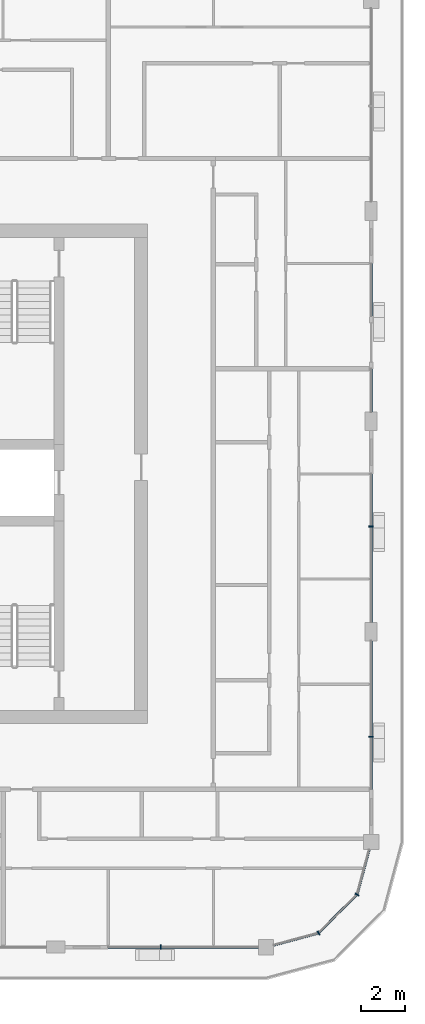
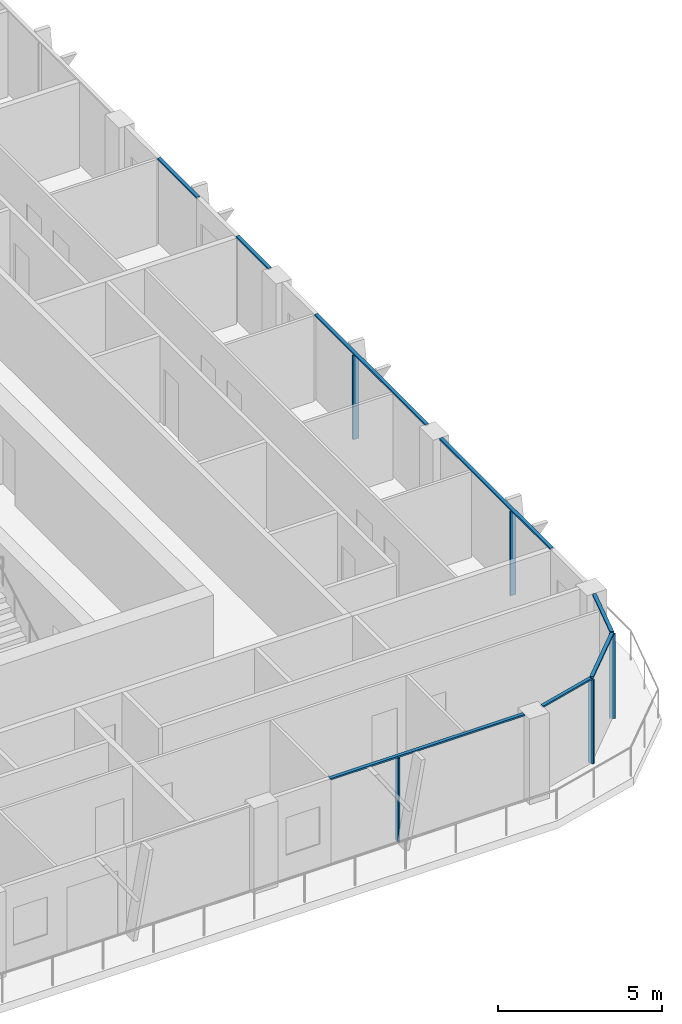
# One storey, part 4 of 21: 13 members, 5 elements without a shape of their own.
"""IFC4 building model written with IfcOpenShell, lengths in metres."""

from ifc_helpers import new_model, si_unit, direction, frame, origin, origin_2d, place, context, subcontext, project, spatial, rectangle, extrude, material, layer, layer_set, material_profile, profile_set, type_object, element, aggregate, save


model = new_model("IFC4")

# Units and contexts
model_context = context("Model", 3, precision=1e-05, world=origin(), true_north=direction((0.0, 1.0)))
body_context = subcontext(model_context, "Body", "Model", "MODEL_VIEW")
ifc_project = project(units=[si_unit("LENGTHUNIT", "METRE"), si_unit("AREAUNIT", "SQUARE_METRE"), si_unit("VOLUMEUNIT", "CUBIC_METRE"), si_unit("PLANEANGLEUNIT", "RADIAN"), si_unit("MASSUNIT", "GRAM", prefix="KILO")], contexts=[model_context])

# Site, building, storey
site_placement = place(None, origin())
site = spatial("IfcSite", under=ifc_project, at=site_placement, CompositionType="ELEMENT")
building_placement = place(site_placement, origin())
building = spatial("IfcBuilding", under=site, at=building_placement, Name="Madar Terraces", CompositionType="ELEMENT")
storey_placement = place(building_placement, frame((0.0, 0.0, 245.699951171875)))
storey = spatial("IfcBuildingStorey", under=building, at=storey_placement, Name="L64", CompositionType="ELEMENT", Elevation=245.699951171875)

# Curtain wall, member
ifc_material_1 = material(Name="Glass, ceramic frit dark grey, with black aluminium frame", Category="aluminium")
ifc_layer = layer(ifc_material_1, 0.199951171875)
ifc_layer_set = layer_set([ifc_layer], Name="Facade curtain wall, fritted glass")
curtain_wall_type = type_object("IfcCurtainWallType", Name="Facade curtain wall, fritted glass", PredefinedType="NOTDEFINED", material=ifc_layer_set)
curtain_wall_1_placement = place(storey_placement, origin())
curtain_wall_1 = element("IfcCurtainWall", 1, at=curtain_wall_1_placement, inside=storey, type_object=curtain_wall_type, Name="Outer skin curtain wall south bay 5", PredefinedType="NOTDEFINED")
ifc_material_2 = material(Name="Aluminium, black anodised", Category="aluminium")
ifc_material_profile_1 = material_profile(ifc_material_2, rectangle(XDim=0.199951171875, YDim=0.06005859375, at=origin_2d()), Name="Facade mullion 60x200")
ifc_profile_set_1 = profile_set([ifc_material_profile_1], Name="Aluminium, black anodised")
member_type_1 = type_object("IfcMemberType", Name="Facade mullion 60x200", PredefinedType="MULLION", material=ifc_profile_set_1)
member_1_placement = place(storey_placement, frame((48.0, 4.800048828125, 0.0), z_axis=(0.0, 0.0, 1.0), x_axis=(0.0, 1.0, 0.0)))
member_1 = element("IfcMember", 2, at=member_1_placement, type_object=member_type_1, Name="Mullion 1", PredefinedType="MULLION", context=body_context, shape_type="SweptSolid", body=[
    extrude(rectangle(XDim=0.199951171875, YDim=0.06005859375, at=origin_2d()), origin(), (0.0, 0.0, 1.0), 3.14013671875),
])

curtain_wall_2_placement = place(storey_placement, origin())
curtain_wall_2 = element("IfcCurtainWall", 3, at=curtain_wall_2_placement, inside=storey, type_object=curtain_wall_type, Name="Outer skin curtain wall east bay 1", PredefinedType="NOTDEFINED")
member_2_placement = place(storey_placement, frame((57.60009765625, 14.39990234375, 0.0), z_axis=(0.0, 0.0, 1.0), x_axis=(-1.0, 0.0, 0.0)))
member_2 = element("IfcMember", 4, at=member_2_placement, type_object=member_type_1, Name="Mullion 1", PredefinedType="MULLION", context=body_context, shape_type="SweptSolid", body=[
    extrude(rectangle(XDim=0.199951171875, YDim=0.06005859375, at=origin_2d()), origin(), (0.0, 0.0, 1.0), 3.14013671875),
])

curtain_wall_3_placement = place(storey_placement, origin())
curtain_wall_3 = element("IfcCurtainWall", 5, at=curtain_wall_3_placement, inside=storey, type_object=curtain_wall_type, Name="Outer skin curtain wall east bay 2", PredefinedType="NOTDEFINED")
member_3_placement = place(storey_placement, frame((57.60009765625, 24.0, 0.0), z_axis=(0.0, 0.0, 1.0), x_axis=(-1.0, 0.0, 0.0)))
member_3 = element("IfcMember", 6, at=member_3_placement, type_object=member_type_1, Name="Mullion 1", PredefinedType="MULLION", context=body_context, shape_type="SweptSolid", body=[
    extrude(rectangle(XDim=0.199951171875, YDim=0.06005859375, at=origin_2d()), origin(), (0.0, 0.0, 1.0), 3.14013671875),
])

# Curtain wall, members
curtain_wall_4_placement = place(storey_placement, origin())
curtain_wall_4 = element("IfcCurtainWall", 7, at=curtain_wall_4_placement, inside=storey, type_object=curtain_wall_type, Name="Outer skin curtain wall south-east corner", PredefinedType="NOTDEFINED")
member_4_placement = place(storey_placement, frame((55.199951171875, 5.443115234375, 0.0), z_axis=(0.0, 0.0, 1.0), x_axis=(-0.499999989586, 0.866025409797, 0.0)))
member_4 = element("IfcMember", 8, at=member_4_placement, type_object=member_type_1, Name="Mullion 1", PredefinedType="MULLION", context=body_context, shape_type="SweptSolid", body=[
    extrude(rectangle(XDim=0.199951171875, YDim=0.06005859375, at=origin_2d()), origin(), (0.0, 0.0, 1.0), 3.14013671875),
])
member_5_placement = place(storey_placement, frame((56.95703125, 7.199951171875, 0.0), z_axis=(0.0, 0.0, 1.0), x_axis=(-0.866025409797, 0.499999989586, 0.0)))
member_5 = element("IfcMember", 9, at=member_5_placement, type_object=member_type_1, Name="Mullion 2", PredefinedType="MULLION", context=body_context, shape_type="SweptSolid", body=[
    extrude(rectangle(XDim=0.199951171875, YDim=0.06005859375, at=origin_2d()), origin(), (0.0, 0.0, 1.0), 3.14013671875),
])

# Member
ifc_material_3 = material(Name="Aluminium, black anodised", Category="aluminium")
ifc_material_profile_2 = material_profile(ifc_material_3, rectangle(XDim=0.1201171875, YDim=0.06005859375, at=origin_2d()), Name="Facade transom 60x120")
ifc_profile_set_2 = profile_set([ifc_material_profile_2], Name="Aluminium, black anodised")
member_type_2 = type_object("IfcMemberType", Name="Facade transom 60x120", PredefinedType="USERDEFINED", material=ifc_profile_set_2)
member_6_placement = place(storey_placement, frame((45.60009765625, 4.800048828125, 3.170166015625), z_axis=(1.0, 0.0, 0.0), x_axis=(0.0, 1.0, 0.0)))
member_6 = element("IfcMember", 10, at=member_6_placement, type_object=member_type_2, Name="Transom 1", ObjectType="TRANSOM", PredefinedType="USERDEFINED", context=body_context, shape_type="SweptSolid", body=[
    extrude(rectangle(XDim=0.1201171875, YDim=0.06005859375, at=origin_2d()), origin(), (0.0, 0.0, 1.0), 6.849853515625),
])

aggregate(curtain_wall_1, [member_1, member_6])

member_7_placement = place(storey_placement, frame((57.60009765625, 12.0, 3.170166015625), z_axis=(0.0, 1.0, 0.0), x_axis=(-1.0, 0.0, 0.0)))
member_7 = element("IfcMember", 11, at=member_7_placement, type_object=member_type_2, Name="Transom 1", ObjectType="TRANSOM", PredefinedType="USERDEFINED", context=body_context, shape_type="SweptSolid", body=[
    extrude(rectangle(XDim=0.1201171875, YDim=0.06005859375, at=origin_2d()), origin(), (0.0, 0.0, 1.0), 6.77490234375),
])

aggregate(curtain_wall_2, [member_2, member_7])

member_8_placement = place(storey_placement, frame((57.60009765625, 19.625, 3.170166015625), z_axis=(0.0, 1.0, 0.0), x_axis=(-1.0, 0.0, 0.0)))
member_8 = element("IfcMember", 12, at=member_8_placement, type_object=member_type_2, Name="Transom 1", ObjectType="TRANSOM", PredefinedType="USERDEFINED", context=body_context, shape_type="SweptSolid", body=[
    extrude(rectangle(XDim=0.1201171875, YDim=0.06005859375, at=origin_2d()), origin(), (0.0, 0.0, 1.0), 6.77490234375),
])

aggregate(curtain_wall_3, [member_3, member_8])

# Curtain wall, members
curtain_wall_5_placement = place(storey_placement, origin())
curtain_wall_5 = element("IfcCurtainWall", 13, at=curtain_wall_5_placement, inside=storey, type_object=curtain_wall_type, Name="Outer skin curtain wall east bay 3", PredefinedType="NOTDEFINED")
member_9_placement = place(storey_placement, frame((57.60009765625, 29.22509765625, 3.170166015625), z_axis=(0.0, 1.0, 0.0), x_axis=(-1.0, 0.0, 0.0)))
member_9 = element("IfcMember", 14, at=member_9_placement, type_object=member_type_2, Name="Transom 1", ObjectType="TRANSOM", PredefinedType="USERDEFINED", context=body_context, shape_type="SweptSolid", body=[
    extrude(rectangle(XDim=0.1201171875, YDim=0.06005859375, at=origin_2d()), origin(), (0.0, 0.0, 1.0), 1.974853515625),
])
member_10_placement = place(storey_placement, frame((57.60009765625, 33.60009765625, 3.170166015625), z_axis=(0.0, 1.0, 0.0), x_axis=(-1.0, 0.0, 0.0)))
member_10 = element("IfcMember", 15, at=member_10_placement, type_object=member_type_2, Name="Transom 2", ObjectType="TRANSOM", PredefinedType="USERDEFINED", context=body_context, shape_type="SweptSolid", body=[
    extrude(rectangle(XDim=0.1201171875, YDim=0.06005859375, at=origin_2d()), origin(), (0.0, 0.0, 1.0), 2.39990234375),
])
aggregate(curtain_wall_5, [member_9, member_10])

# Member
member_11_placement = place(storey_placement, frame((53.14990234375, 4.893798828125, 3.170166015625), z_axis=(0.965936074212, 0.258780796304, 0.0), x_axis=(-0.258780796304, 0.965936074212, 0.0)))
member_11 = element("IfcMember", 16, at=member_11_placement, type_object=member_type_2, Name="Transom 1", ObjectType="TRANSOM", PredefinedType="USERDEFINED", context=body_context, shape_type="SweptSolid", body=[
    extrude(rectangle(XDim=0.1201171875, YDim=0.06005859375, at=origin_2d()), origin(), (0.0, 0.0, 1.0), 2.092529296875),
])

member_12_placement = place(storey_placement, frame((55.22119140625, 5.46435546875, 3.170166015625), z_axis=(0.707157125196, 0.707056433593, 0.0), x_axis=(-0.707056433593, 0.707157125196, 0.0)))
member_12 = element("IfcMember", 17, at=member_12_placement, type_object=member_type_2, Name="Transom 2", ObjectType="TRANSOM", PredefinedType="USERDEFINED", context=body_context, shape_type="SweptSolid", body=[
    extrude(rectangle(XDim=0.1201171875, YDim=0.06005859375, at=origin_2d()), origin(), (0.0, 0.0, 1.0), 2.424560546875),
])

member_13_placement = place(storey_placement, frame((56.964599609375, 7.22900390625, 3.170166015625), z_axis=(0.258809963731, 0.965928259589, 0.0), x_axis=(-0.965928259589, 0.258809963731, 0.0)))
member_13 = element("IfcMember", 18, at=member_13_placement, type_object=member_type_2, Name="Transom 3", ObjectType="TRANSOM", PredefinedType="USERDEFINED", context=body_context, shape_type="SweptSolid", body=[
    extrude(rectangle(XDim=0.1201171875, YDim=0.06005859375, at=origin_2d()), origin(), (0.0, 0.0, 1.0), 2.09228515625),
])

aggregate(curtain_wall_4, [member_4, member_11, member_5, member_12, member_13])

save(model, "model.ifc")
